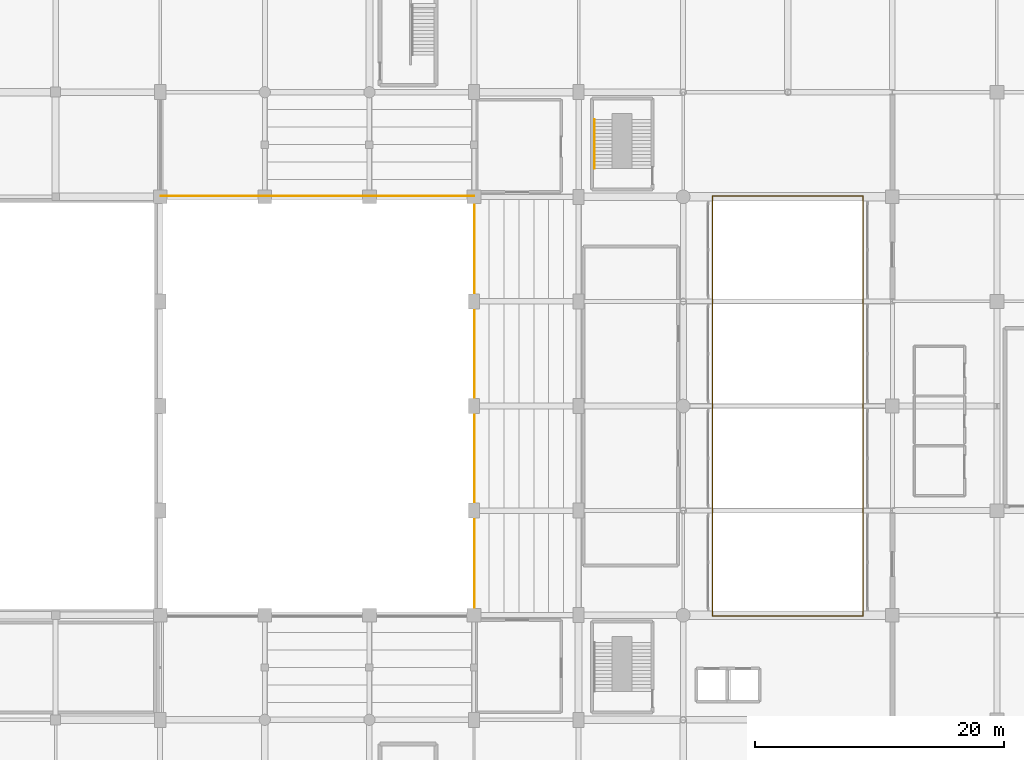
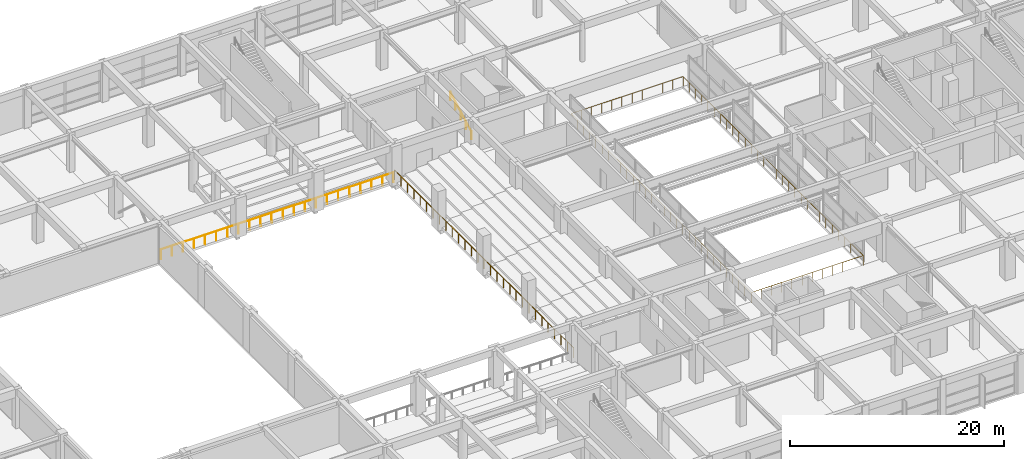
# One storey, part 58 of 62: 4 railings.
"""IFC4 building model written with IfcOpenShell, lengths in metres."""

from ifc_helpers import new_model, si_unit, direction, frame, origin, origin_2d, place, context, subcontext, project, spatial, circle, extrude, material, type_object, element, save


model = new_model("IFC4")

# Units and contexts
model_context = context("Model", 3, precision=1e-05, world=origin(), true_north=direction((0.0, 1.0)))
body_context = subcontext(model_context, "Body", "Model", "MODEL_VIEW")
ifc_project = project(units=[si_unit("LENGTHUNIT", "METRE"), si_unit("AREAUNIT", "SQUARE_METRE"), si_unit("VOLUMEUNIT", "CUBIC_METRE"), si_unit("PLANEANGLEUNIT", "RADIAN"), si_unit("MASSUNIT", "GRAM", prefix="KILO")], contexts=[model_context])

# Site, building, storey
site_placement = place(None, origin())
site = spatial("IfcSite", under=ifc_project, at=site_placement, CompositionType="ELEMENT")
building_placement = place(site_placement, origin())
building = spatial("IfcBuilding", under=site, at=building_placement, Name="Xuanlan Plaza Opera House", CompositionType="ELEMENT")
storey_placement = place(building_placement, frame((0.0, 0.0, 14.39990234375)))
storey = spatial("IfcBuildingStorey", under=building, at=storey_placement, Name="L03", CompositionType="ELEMENT", Elevation=14.39990234375)

# Railings
ifc_material_1 = material(Name="Stainless Steel S30408 and Laminated Glass", Category="steel")
railing_type_1 = type_object("IfcRailingType", Name="INT-RL-GR03", PredefinedType="GUARDRAIL", material=ifc_material_1)
railing_1_placement = place(storey_placement, frame((111.550048828125, 41.949951171875, 0.0)))
element("IfcRailing", 1, at=railing_1_placement, inside=storey, type_object=railing_type_1, Name="Atrium Gallery Perimeter Guardrail L03", PredefinedType="GUARDRAIL", context=body_context, shape_type="SweptSolid", body=[
    extrude(circle(Radius=0.02392578125, at=origin_2d()), frame((0.0, 0.0, 1.09619140625), z_axis=(1.0, 0.0, 0.0), x_axis=(0.0, 1.0, 0.0)), (0.0, 0.0, 1.0), 12.099853515625),
    extrude(circle(Radius=0.02392578125, at=origin_2d()), frame((12.099853515625, 0.0, 1.09619140625), z_axis=(0.0, 1.0, 0.0), x_axis=(-1.0, 0.0, 0.0)), (0.0, 0.0, 1.0), 33.699951171875),
    extrude(circle(Radius=0.02392578125, at=origin_2d()), frame((12.099853515625, 33.699951171875, 1.09619140625), z_axis=(-1.0, 0.0, 0.0), x_axis=(0.0, -1.0, 0.0)), (0.0, 0.0, 1.0), 12.099853515625),
    extrude(circle(Radius=0.02392578125, at=origin_2d()), frame((0.0, 33.699951171875, 1.09619140625), z_axis=(0.0, -1.0, 0.0), x_axis=(1.0, 0.0, 0.0)), (0.0, 0.0, 1.0), 33.699951171875),
    extrude(circle(Radius=0.02099609375, at=origin_2d()), origin(), (0.0, 0.0, 1.0), 1.072021484375),
    extrude(circle(Radius=0.02099609375, at=origin_2d()), frame((1.10009765625, 0.0, 0.0)), (0.0, 0.0, 1.0), 1.072021484375),
    extrude(circle(Radius=0.02099609375, at=origin_2d()), frame((2.199951171875, 0.0, 0.0)), (0.0, 0.0, 1.0), 1.072021484375),
    extrude(circle(Radius=0.02099609375, at=origin_2d()), frame((3.300048828125, 0.0, 0.0)), (0.0, 0.0, 1.0), 1.072021484375),
    extrude(circle(Radius=0.02099609375, at=origin_2d()), frame((4.39990234375, 0.0, 0.0)), (0.0, 0.0, 1.0), 1.072021484375),
    extrude(circle(Radius=0.02099609375, at=origin_2d()), frame((5.5, 0.0, 0.0)), (0.0, 0.0, 1.0), 1.072021484375),
    extrude(circle(Radius=0.02099609375, at=origin_2d()), frame((6.599853515625, 0.0, 0.0)), (0.0, 0.0, 1.0), 1.072021484375),
    extrude(circle(Radius=0.02099609375, at=origin_2d()), frame((7.699951171875, 0.0, 0.0)), (0.0, 0.0, 1.0), 1.072021484375),
    extrude(circle(Radius=0.02099609375, at=origin_2d()), frame((8.7998046875, 0.0, 0.0)), (0.0, 0.0, 1.0), 1.072021484375),
    extrude(circle(Radius=0.02099609375, at=origin_2d()), frame((9.89990234375, 0.0, 0.0)), (0.0, 0.0, 1.0), 1.072021484375),
    extrude(circle(Radius=0.02099609375, at=origin_2d()), frame((10.999755859375, 0.0, 0.0)), (0.0, 0.0, 1.0), 1.072021484375),
    extrude(circle(Radius=0.02099609375, at=origin_2d()), frame((12.099853515625, 0.0, 0.0)), (0.0, 0.0, 1.0), 1.072021484375),
    extrude(circle(Radius=0.02099609375, at=origin_2d()), frame((12.099853515625, 1.162109375, 0.0)), (0.0, 0.0, 1.0), 1.072021484375),
    extrude(circle(Radius=0.02099609375, at=origin_2d()), frame((12.099853515625, 2.32421875, 0.0)), (0.0, 0.0, 1.0), 1.072021484375),
    extrude(circle(Radius=0.02099609375, at=origin_2d()), frame((12.099853515625, 3.486083984375, 0.0)), (0.0, 0.0, 1.0), 1.072021484375),
    extrude(circle(Radius=0.02099609375, at=origin_2d()), frame((12.099853515625, 4.648193359375, 0.0)), (0.0, 0.0, 1.0), 1.072021484375),
    extrude(circle(Radius=0.02099609375, at=origin_2d()), frame((12.099853515625, 5.810302734375, 0.0)), (0.0, 0.0, 1.0), 1.072021484375),
    extrude(circle(Radius=0.02099609375, at=origin_2d()), frame((12.099853515625, 6.972412109375, 0.0)), (0.0, 0.0, 1.0), 1.072021484375),
    extrude(circle(Radius=0.02099609375, at=origin_2d()), frame((12.099853515625, 8.134521484375, 0.0)), (0.0, 0.0, 1.0), 1.072021484375),
    extrude(circle(Radius=0.02099609375, at=origin_2d()), frame((12.099853515625, 9.296630859375, 0.0)), (0.0, 0.0, 1.0), 1.072021484375),
    extrude(circle(Radius=0.02099609375, at=origin_2d()), frame((12.099853515625, 10.45849609375, 0.0)), (0.0, 0.0, 1.0), 1.072021484375),
    extrude(circle(Radius=0.02099609375, at=origin_2d()), frame((12.099853515625, 11.62060546875, 0.0)), (0.0, 0.0, 1.0), 1.072021484375),
    extrude(circle(Radius=0.02099609375, at=origin_2d()), frame((12.099853515625, 12.78271484375, 0.0)), (0.0, 0.0, 1.0), 1.072021484375),
    extrude(circle(Radius=0.02099609375, at=origin_2d()), frame((12.099853515625, 13.94482421875, 0.0)), (0.0, 0.0, 1.0), 1.072021484375),
    extrude(circle(Radius=0.02099609375, at=origin_2d()), frame((12.099853515625, 15.10693359375, 0.0)), (0.0, 0.0, 1.0), 1.072021484375),
    extrude(circle(Radius=0.02099609375, at=origin_2d()), frame((12.099853515625, 16.26904296875, 0.0)), (0.0, 0.0, 1.0), 1.072021484375),
    extrude(circle(Radius=0.02099609375, at=origin_2d()), frame((12.099853515625, 17.430908203125, 0.0)), (0.0, 0.0, 1.0), 1.072021484375),
    extrude(circle(Radius=0.02099609375, at=origin_2d()), frame((12.099853515625, 18.593017578125, 0.0)), (0.0, 0.0, 1.0), 1.072021484375),
    extrude(circle(Radius=0.02099609375, at=origin_2d()), frame((12.099853515625, 19.755126953125, 0.0)), (0.0, 0.0, 1.0), 1.072021484375),
    extrude(circle(Radius=0.02099609375, at=origin_2d()), frame((12.099853515625, 20.917236328125, 0.0)), (0.0, 0.0, 1.0), 1.072021484375),
    extrude(circle(Radius=0.02099609375, at=origin_2d()), frame((12.099853515625, 22.079345703125, 0.0)), (0.0, 0.0, 1.0), 1.072021484375),
    extrude(circle(Radius=0.02099609375, at=origin_2d()), frame((12.099853515625, 23.241455078125, 0.0)), (0.0, 0.0, 1.0), 1.072021484375),
    extrude(circle(Radius=0.02099609375, at=origin_2d()), frame((12.099853515625, 24.4033203125, 0.0)), (0.0, 0.0, 1.0), 1.072021484375),
    extrude(circle(Radius=0.02099609375, at=origin_2d()), frame((12.099853515625, 25.5654296875, 0.0)), (0.0, 0.0, 1.0), 1.072021484375),
    extrude(circle(Radius=0.02099609375, at=origin_2d()), frame((12.099853515625, 26.7275390625, 0.0)), (0.0, 0.0, 1.0), 1.072021484375),
    extrude(circle(Radius=0.02099609375, at=origin_2d()), frame((12.099853515625, 27.8896484375, 0.0)), (0.0, 0.0, 1.0), 1.072021484375),
    extrude(circle(Radius=0.02099609375, at=origin_2d()), frame((12.099853515625, 29.0517578125, 0.0)), (0.0, 0.0, 1.0), 1.072021484375),
    extrude(circle(Radius=0.02099609375, at=origin_2d()), frame((12.099853515625, 30.2138671875, 0.0)), (0.0, 0.0, 1.0), 1.072021484375),
    extrude(circle(Radius=0.02099609375, at=origin_2d()), frame((12.099853515625, 31.375732421875, 0.0)), (0.0, 0.0, 1.0), 1.072021484375),
    extrude(circle(Radius=0.02099609375, at=origin_2d()), frame((12.099853515625, 32.537841796875, 0.0)), (0.0, 0.0, 1.0), 1.072021484375),
    extrude(circle(Radius=0.02099609375, at=origin_2d()), frame((12.099853515625, 33.699951171875, 0.0)), (0.0, 0.0, 1.0), 1.072021484375),
    extrude(circle(Radius=0.02099609375, at=origin_2d()), frame((10.999755859375, 33.699951171875, 0.0)), (0.0, 0.0, 1.0), 1.072021484375),
    extrude(circle(Radius=0.02099609375, at=origin_2d()), frame((9.89990234375, 33.699951171875, 0.0)), (0.0, 0.0, 1.0), 1.072021484375),
    extrude(circle(Radius=0.02099609375, at=origin_2d()), frame((8.7998046875, 33.699951171875, 0.0)), (0.0, 0.0, 1.0), 1.072021484375),
    extrude(circle(Radius=0.02099609375, at=origin_2d()), frame((7.699951171875, 33.699951171875, 0.0)), (0.0, 0.0, 1.0), 1.072021484375),
    extrude(circle(Radius=0.02099609375, at=origin_2d()), frame((6.599853515625, 33.699951171875, 0.0)), (0.0, 0.0, 1.0), 1.072021484375),
    extrude(circle(Radius=0.02099609375, at=origin_2d()), frame((5.5, 33.699951171875, 0.0)), (0.0, 0.0, 1.0), 1.072021484375),
    extrude(circle(Radius=0.02099609375, at=origin_2d()), frame((4.39990234375, 33.699951171875, 0.0)), (0.0, 0.0, 1.0), 1.072021484375),
    extrude(circle(Radius=0.02099609375, at=origin_2d()), frame((3.300048828125, 33.699951171875, 0.0)), (0.0, 0.0, 1.0), 1.072021484375),
    extrude(circle(Radius=0.02099609375, at=origin_2d()), frame((2.199951171875, 33.699951171875, 0.0)), (0.0, 0.0, 1.0), 1.072021484375),
    extrude(circle(Radius=0.02099609375, at=origin_2d()), frame((1.10009765625, 33.699951171875, 0.0)), (0.0, 0.0, 1.0), 1.072021484375),
    extrude(circle(Radius=0.02099609375, at=origin_2d()), frame((0.0, 33.699951171875, 0.0)), (0.0, 0.0, 1.0), 1.072021484375),
    extrude(circle(Radius=0.02099609375, at=origin_2d()), frame((0.0, 32.537841796875, 0.0)), (0.0, 0.0, 1.0), 1.072021484375),
    extrude(circle(Radius=0.02099609375, at=origin_2d()), frame((0.0, 31.375732421875, 0.0)), (0.0, 0.0, 1.0), 1.072021484375),
    extrude(circle(Radius=0.02099609375, at=origin_2d()), frame((0.0, 30.2138671875, 0.0)), (0.0, 0.0, 1.0), 1.072021484375),
    extrude(circle(Radius=0.02099609375, at=origin_2d()), frame((0.0, 29.0517578125, 0.0)), (0.0, 0.0, 1.0), 1.072021484375),
    extrude(circle(Radius=0.02099609375, at=origin_2d()), frame((0.0, 27.8896484375, 0.0)), (0.0, 0.0, 1.0), 1.072021484375),
    extrude(circle(Radius=0.02099609375, at=origin_2d()), frame((0.0, 26.7275390625, 0.0)), (0.0, 0.0, 1.0), 1.072021484375),
    extrude(circle(Radius=0.02099609375, at=origin_2d()), frame((0.0, 25.5654296875, 0.0)), (0.0, 0.0, 1.0), 1.072021484375),
    extrude(circle(Radius=0.02099609375, at=origin_2d()), frame((0.0, 24.4033203125, 0.0)), (0.0, 0.0, 1.0), 1.072021484375),
    extrude(circle(Radius=0.02099609375, at=origin_2d()), frame((0.0, 23.241455078125, 0.0)), (0.0, 0.0, 1.0), 1.072021484375),
    extrude(circle(Radius=0.02099609375, at=origin_2d()), frame((0.0, 22.079345703125, 0.0)), (0.0, 0.0, 1.0), 1.072021484375),
    extrude(circle(Radius=0.02099609375, at=origin_2d()), frame((0.0, 20.917236328125, 0.0)), (0.0, 0.0, 1.0), 1.072021484375),
    extrude(circle(Radius=0.02099609375, at=origin_2d()), frame((0.0, 19.755126953125, 0.0)), (0.0, 0.0, 1.0), 1.072021484375),
    extrude(circle(Radius=0.02099609375, at=origin_2d()), frame((0.0, 18.593017578125, 0.0)), (0.0, 0.0, 1.0), 1.072021484375),
    extrude(circle(Radius=0.02099609375, at=origin_2d()), frame((0.0, 17.430908203125, 0.0)), (0.0, 0.0, 1.0), 1.072021484375),
    extrude(circle(Radius=0.02099609375, at=origin_2d()), frame((0.0, 16.26904296875, 0.0)), (0.0, 0.0, 1.0), 1.072021484375),
    extrude(circle(Radius=0.02099609375, at=origin_2d()), frame((0.0, 15.10693359375, 0.0)), (0.0, 0.0, 1.0), 1.072021484375),
    extrude(circle(Radius=0.02099609375, at=origin_2d()), frame((0.0, 13.94482421875, 0.0)), (0.0, 0.0, 1.0), 1.072021484375),
    extrude(circle(Radius=0.02099609375, at=origin_2d()), frame((0.0, 12.78271484375, 0.0)), (0.0, 0.0, 1.0), 1.072021484375),
    extrude(circle(Radius=0.02099609375, at=origin_2d()), frame((0.0, 11.62060546875, 0.0)), (0.0, 0.0, 1.0), 1.072021484375),
    extrude(circle(Radius=0.02099609375, at=origin_2d()), frame((0.0, 10.45849609375, 0.0)), (0.0, 0.0, 1.0), 1.072021484375),
    extrude(circle(Radius=0.02099609375, at=origin_2d()), frame((0.0, 9.296630859375, 0.0)), (0.0, 0.0, 1.0), 1.072021484375),
    extrude(circle(Radius=0.02099609375, at=origin_2d()), frame((0.0, 8.134521484375, 0.0)), (0.0, 0.0, 1.0), 1.072021484375),
    extrude(circle(Radius=0.02099609375, at=origin_2d()), frame((0.0, 6.972412109375, 0.0)), (0.0, 0.0, 1.0), 1.072021484375),
    extrude(circle(Radius=0.02099609375, at=origin_2d()), frame((0.0, 5.810302734375, 0.0)), (0.0, 0.0, 1.0), 1.072021484375),
    extrude(circle(Radius=0.02099609375, at=origin_2d()), frame((0.0, 4.648193359375, 0.0)), (0.0, 0.0, 1.0), 1.072021484375),
    extrude(circle(Radius=0.02099609375, at=origin_2d()), frame((0.0, 3.486083984375, 0.0)), (0.0, 0.0, 1.0), 1.072021484375),
    extrude(circle(Radius=0.02099609375, at=origin_2d()), frame((0.0, 2.32421875, 0.0)), (0.0, 0.0, 1.0), 1.072021484375),
    extrude(circle(Radius=0.02099609375, at=origin_2d()), frame((0.0, 1.162109375, 0.0)), (0.0, 0.0, 1.0), 1.072021484375),
])
railing_2_placement = place(storey_placement, frame((67.25, 75.64990234375, 0.0)))
element("IfcRailing", 2, at=railing_2_placement, inside=storey, type_object=railing_type_1, Name="Auditorium Bowl Side Guardrail L03 N", PredefinedType="GUARDRAIL", context=body_context, shape_type="SweptSolid", body=[
    extrude(circle(Radius=0.02392578125, at=origin_2d()), frame((0.0, 0.0, 1.09619140625), z_axis=(1.0, 0.0, 0.0), x_axis=(0.0, 1.0, 0.0)), (0.0, 0.0, 1.0), 25.14990234375),
    extrude(circle(Radius=0.02099609375, at=origin_2d()), origin(), (0.0, 0.0, 1.0), 1.072021484375),
    extrude(circle(Radius=0.02099609375, at=origin_2d()), frame((1.197509765625, 0.0, 0.0)), (0.0, 0.0, 1.0), 1.072021484375),
    extrude(circle(Radius=0.02099609375, at=origin_2d()), frame((2.395263671875, 0.0, 0.0)), (0.0, 0.0, 1.0), 1.072021484375),
    extrude(circle(Radius=0.02099609375, at=origin_2d()), frame((3.5927734375, 0.0, 0.0)), (0.0, 0.0, 1.0), 1.072021484375),
    extrude(circle(Radius=0.02099609375, at=origin_2d()), frame((4.79052734375, 0.0, 0.0)), (0.0, 0.0, 1.0), 1.072021484375),
    extrude(circle(Radius=0.02099609375, at=origin_2d()), frame((5.988037109375, 0.0, 0.0)), (0.0, 0.0, 1.0), 1.072021484375),
    extrude(circle(Radius=0.02099609375, at=origin_2d()), frame((7.185791015625, 0.0, 0.0)), (0.0, 0.0, 1.0), 1.072021484375),
    extrude(circle(Radius=0.02099609375, at=origin_2d()), frame((8.38330078125, 0.0, 0.0)), (0.0, 0.0, 1.0), 1.072021484375),
    extrude(circle(Radius=0.02099609375, at=origin_2d()), frame((9.580810546875, 0.0, 0.0)), (0.0, 0.0, 1.0), 1.072021484375),
    extrude(circle(Radius=0.02099609375, at=origin_2d()), frame((10.778564453125, 0.0, 0.0)), (0.0, 0.0, 1.0), 1.072021484375),
    extrude(circle(Radius=0.02099609375, at=origin_2d()), frame((11.97607421875, 0.0, 0.0)), (0.0, 0.0, 1.0), 1.072021484375),
    extrude(circle(Radius=0.02099609375, at=origin_2d()), frame((13.173828125, 0.0, 0.0)), (0.0, 0.0, 1.0), 1.072021484375),
    extrude(circle(Radius=0.02099609375, at=origin_2d()), frame((14.371337890625, 0.0, 0.0)), (0.0, 0.0, 1.0), 1.072021484375),
    extrude(circle(Radius=0.02099609375, at=origin_2d()), frame((15.569091796875, 0.0, 0.0)), (0.0, 0.0, 1.0), 1.072021484375),
    extrude(circle(Radius=0.02099609375, at=origin_2d()), frame((16.7666015625, 0.0, 0.0)), (0.0, 0.0, 1.0), 1.072021484375),
    extrude(circle(Radius=0.02099609375, at=origin_2d()), frame((17.964111328125, 0.0, 0.0)), (0.0, 0.0, 1.0), 1.072021484375),
    extrude(circle(Radius=0.02099609375, at=origin_2d()), frame((19.161865234375, 0.0, 0.0)), (0.0, 0.0, 1.0), 1.072021484375),
    extrude(circle(Radius=0.02099609375, at=origin_2d()), frame((20.359375, 0.0, 0.0)), (0.0, 0.0, 1.0), 1.072021484375),
    extrude(circle(Radius=0.02099609375, at=origin_2d()), frame((21.55712890625, 0.0, 0.0)), (0.0, 0.0, 1.0), 1.072021484375),
    extrude(circle(Radius=0.02099609375, at=origin_2d()), frame((22.754638671875, 0.0, 0.0)), (0.0, 0.0, 1.0), 1.072021484375),
    extrude(circle(Radius=0.02099609375, at=origin_2d()), frame((23.952392578125, 0.0, 0.0)), (0.0, 0.0, 1.0), 1.072021484375),
    extrude(circle(Radius=0.02099609375, at=origin_2d()), frame((25.14990234375, 0.0, 0.0)), (0.0, 0.0, 1.0), 1.072021484375),
])
railing_3_placement = place(storey_placement, frame((92.449951171875, 42.050048828125, 0.2900390625)))
element("IfcRailing", 3, at=railing_3_placement, inside=storey, type_object=railing_type_1, Name="Auditorium L03 Seating Tier Front Barrier", PredefinedType="GUARDRAIL", context=body_context, shape_type="SweptSolid", body=[
    extrude(circle(Radius=0.02392578125, at=origin_2d()), frame((0.0, 0.0, 1.09619140625), z_axis=(0.0, 1.0, 0.0), x_axis=(-1.0, 0.0, 0.0)), (0.0, 0.0, 1.0), 33.5),
    extrude(circle(Radius=0.02099609375, at=origin_2d()), origin(), (0.0, 0.0, 1.0), 1.072021484375),
    extrude(circle(Radius=0.02099609375, at=origin_2d()), frame((0.0, 1.196533203125, 0.0)), (0.0, 0.0, 1.0), 1.072021484375),
    extrude(circle(Radius=0.02099609375, at=origin_2d()), frame((0.0, 2.392822265625, 0.0)), (0.0, 0.0, 1.0), 1.072021484375),
    extrude(circle(Radius=0.02099609375, at=origin_2d()), frame((0.0, 3.58935546875, 0.0)), (0.0, 0.0, 1.0), 1.072021484375),
    extrude(circle(Radius=0.02099609375, at=origin_2d()), frame((0.0, 4.78564453125, 0.0)), (0.0, 0.0, 1.0), 1.072021484375),
    extrude(circle(Radius=0.02099609375, at=origin_2d()), frame((0.0, 5.982177734375, 0.0)), (0.0, 0.0, 1.0), 1.072021484375),
    extrude(circle(Radius=0.02099609375, at=origin_2d()), frame((0.0, 7.178466796875, 0.0)), (0.0, 0.0, 1.0), 1.072021484375),
    extrude(circle(Radius=0.02099609375, at=origin_2d()), frame((0.0, 8.375, 0.0)), (0.0, 0.0, 1.0), 1.072021484375),
    extrude(circle(Radius=0.02099609375, at=origin_2d()), frame((0.0, 9.571533203125, 0.0)), (0.0, 0.0, 1.0), 1.072021484375),
    extrude(circle(Radius=0.02099609375, at=origin_2d()), frame((0.0, 10.767822265625, 0.0)), (0.0, 0.0, 1.0), 1.072021484375),
    extrude(circle(Radius=0.02099609375, at=origin_2d()), frame((0.0, 11.96435546875, 0.0)), (0.0, 0.0, 1.0), 1.072021484375),
    extrude(circle(Radius=0.02099609375, at=origin_2d()), frame((0.0, 13.16064453125, 0.0)), (0.0, 0.0, 1.0), 1.072021484375),
    extrude(circle(Radius=0.02099609375, at=origin_2d()), frame((0.0, 14.357177734375, 0.0)), (0.0, 0.0, 1.0), 1.072021484375),
    extrude(circle(Radius=0.02099609375, at=origin_2d()), frame((0.0, 15.553466796875, 0.0)), (0.0, 0.0, 1.0), 1.072021484375),
    extrude(circle(Radius=0.02099609375, at=origin_2d()), frame((0.0, 16.75, 0.0)), (0.0, 0.0, 1.0), 1.072021484375),
    extrude(circle(Radius=0.02099609375, at=origin_2d()), frame((0.0, 17.946533203125, 0.0)), (0.0, 0.0, 1.0), 1.072021484375),
    extrude(circle(Radius=0.02099609375, at=origin_2d()), frame((0.0, 19.142822265625, 0.0)), (0.0, 0.0, 1.0), 1.072021484375),
    extrude(circle(Radius=0.02099609375, at=origin_2d()), frame((0.0, 20.33935546875, 0.0)), (0.0, 0.0, 1.0), 1.072021484375),
    extrude(circle(Radius=0.02099609375, at=origin_2d()), frame((0.0, 21.53564453125, 0.0)), (0.0, 0.0, 1.0), 1.072021484375),
    extrude(circle(Radius=0.02099609375, at=origin_2d()), frame((0.0, 22.732177734375, 0.0)), (0.0, 0.0, 1.0), 1.072021484375),
    extrude(circle(Radius=0.02099609375, at=origin_2d()), frame((0.0, 23.928466796875, 0.0)), (0.0, 0.0, 1.0), 1.072021484375),
    extrude(circle(Radius=0.02099609375, at=origin_2d()), frame((0.0, 25.125, 0.0)), (0.0, 0.0, 1.0), 1.072021484375),
    extrude(circle(Radius=0.02099609375, at=origin_2d()), frame((0.0, 26.321533203125, 0.0)), (0.0, 0.0, 1.0), 1.072021484375),
    extrude(circle(Radius=0.02099609375, at=origin_2d()), frame((0.0, 27.517822265625, 0.0)), (0.0, 0.0, 1.0), 1.072021484375),
    extrude(circle(Radius=0.02099609375, at=origin_2d()), frame((0.0, 28.71435546875, 0.0)), (0.0, 0.0, 1.0), 1.072021484375),
    extrude(circle(Radius=0.02099609375, at=origin_2d()), frame((0.0, 29.91064453125, 0.0)), (0.0, 0.0, 1.0), 1.072021484375),
    extrude(circle(Radius=0.02099609375, at=origin_2d()), frame((0.0, 31.107177734375, 0.0)), (0.0, 0.0, 1.0), 1.072021484375),
    extrude(circle(Radius=0.02099609375, at=origin_2d()), frame((0.0, 32.303466796875, 0.0)), (0.0, 0.0, 1.0), 1.072021484375),
    extrude(circle(Radius=0.02099609375, at=origin_2d()), frame((0.0, 33.5, 0.0)), (0.0, 0.0, 1.0), 1.072021484375),
])
ifc_material_2 = material(Name="Stainless Steel S30408", Category="steel")
railing_type_2 = type_object("IfcRailingType", Name="INT-RL-HR02", PredefinedType="HANDRAIL", material=ifc_material_2)
railing_4_placement = place(storey_placement, frame((102.080078125, 77.8798828125, 0.150146484375)))
element("IfcRailing", 4, at=railing_4_placement, inside=storey, type_object=railing_type_2, Name="Feature Stair Handrail ST-F2 L03 Flight 1", PredefinedType="HANDRAIL", context=body_context, shape_type="SweptSolid", body=[
    extrude(circle(Radius=0.02392578125, at=origin_2d()), frame((0.0, 0.0, 0.89599609375), z_axis=(0.0, 0.881502004561, 0.472180279083), x_axis=(-1.0, 0.0, 0.0)), (0.0, 0.0, 1.0), 4.447265625),
    extrude(circle(Radius=0.02099609375, at=origin_2d()), origin(), (0.0, 0.0, 1.0), 0.871826171875),
    extrude(circle(Radius=0.02099609375, at=origin_2d()), frame((0.0, 0.97998046875, 0.52490234375)), (0.0, 0.0, 1.0), 0.871826171875),
    extrude(circle(Radius=0.02099609375, at=origin_2d()), frame((0.0, 1.9599609375, 1.0498046875)), (0.0, 0.0, 1.0), 0.871826171875),
    extrude(circle(Radius=0.02099609375, at=origin_2d()), frame((0.0, 2.940185546875, 1.574951171875)), (0.0, 0.0, 1.0), 0.871826171875),
    extrude(circle(Radius=0.02099609375, at=origin_2d()), frame((0.0, 3.920166015625, 2.099853515625)), (0.0, 0.0, 1.0), 0.871826171875),
])

save(model, "model.ifc")
